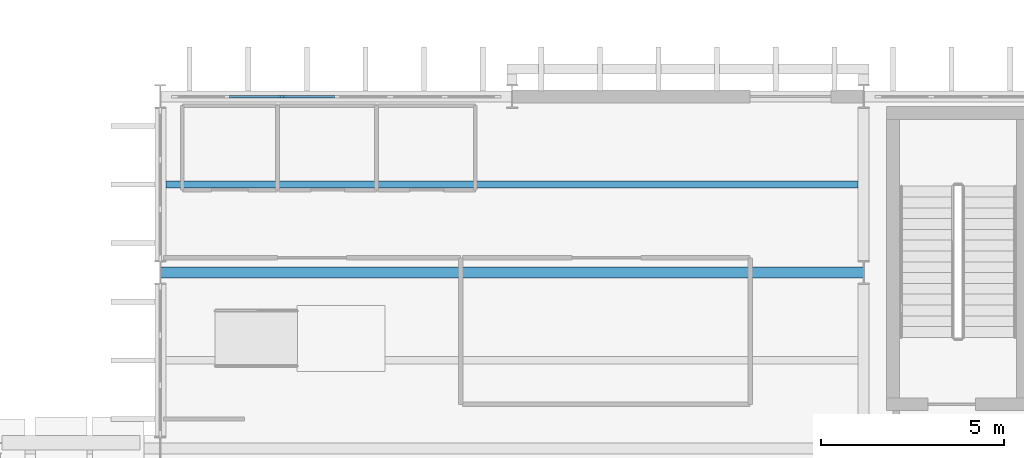
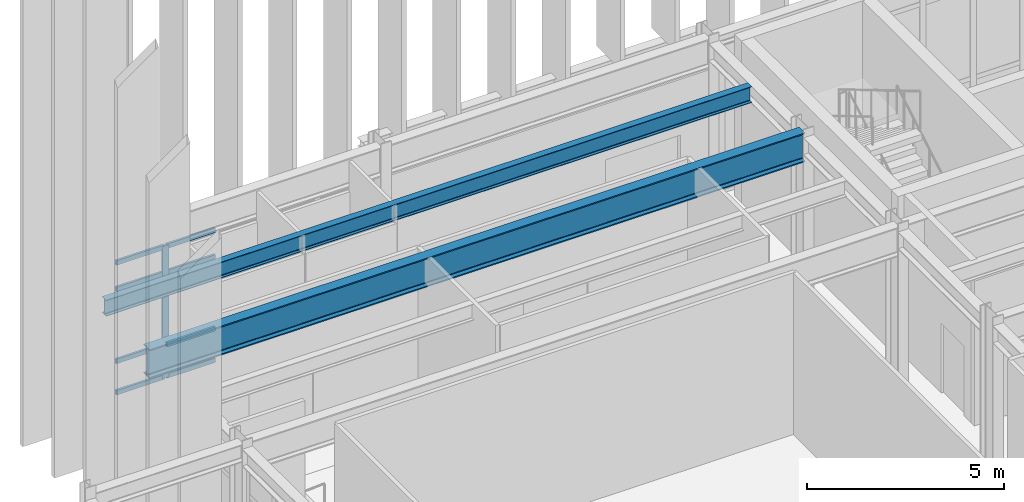
# One storey, part 49 of 109: 9 members, 2 beams, 1 element without a shape of its own.
"""IFC4 building model written with IfcOpenShell, lengths in metres."""

from ifc_helpers import new_model, si_unit, direction, frame, origin, origin_2d, place, context, subcontext, project, spatial, rectangle, i_section, extrude, material, layer, layer_set, material_profile, profile_set, type_object, element, aggregate, save


model = new_model("IFC4")

# Units and contexts
model_context = context("Model", 3, precision=1e-05, world=origin(), true_north=direction((0.0, 1.0)))
body_context = subcontext(model_context, "Body", "Model", "MODEL_VIEW")
ifc_project = project(units=[si_unit("LENGTHUNIT", "METRE"), si_unit("AREAUNIT", "SQUARE_METRE"), si_unit("VOLUMEUNIT", "CUBIC_METRE"), si_unit("PLANEANGLEUNIT", "RADIAN"), si_unit("MASSUNIT", "GRAM", prefix="KILO")], contexts=[model_context])

# Site, building, storey
site_placement = place(None, origin())
site = spatial("IfcSite", under=ifc_project, at=site_placement, CompositionType="ELEMENT")
building_placement = place(site_placement, origin())
building = spatial("IfcBuilding", under=site, at=building_placement, Name="Nordkorset Police Headquarters", CompositionType="ELEMENT")
storey_placement = place(building_placement, origin())
storey = spatial("IfcBuildingStorey", under=building, at=storey_placement, Name="L00", CompositionType="ELEMENT", Elevation=0.0)

# Beam
ifc_material_1 = material(Name="Steel S355J2", Category="steel")
ifc_material_profile_1 = material_profile(ifc_material_1, i_section(OverallWidth=0.199951171875, OverallDepth=0.5, WebThickness=0.01025390625, FlangeThickness=0.01611328125, FilletRadius=0.02099609375, at=origin_2d()), Name="IPE 500")
ifc_profile_set_1 = profile_set([ifc_material_profile_1], Name="Steel S355J2")
beam_type_1 = type_object("IfcBeamType", Name="Beam_IPE_500", PredefinedType="BEAM", material=ifc_profile_set_1)
beam_1_placement = place(storey_placement, frame((0.14990234375, 114.39990234375, 4.75), z_axis=(1.0, 0.0, 0.0), x_axis=(0.0, 1.0, 0.0)))
element("IfcBeam", 1, at=beam_1_placement, inside=storey, type_object=beam_type_1, Name="Composite Floor Beam V1 L00 0-6-1", PredefinedType="BEAM", context=body_context, shape_type="SweptSolid", body=[
    extrude(i_section(OverallWidth=0.199951171875, OverallDepth=0.5, WebThickness=0.01025390625, FlangeThickness=0.01611328125, FilletRadius=0.02099609375, at=origin_2d()), origin(), (0.0, 0.0, 1.0), 18.900146484375),
])

# Curtain wall, members
ifc_material_2 = material(Name="Aluminium alloy AW-6060", Category="aluminium")
ifc_layer = layer(ifc_material_2, 0.179931640625, Name="Aluminium alloy AW-6060")
ifc_layer_set = layer_set([ifc_layer], Name="Aluminium alloy AW-6060")
curtain_wall_type = type_object("IfcCurtainWallType", Name="CW_Unit_888x408", PredefinedType="USERDEFINED", material=ifc_layer_set)
curtain_wall_placement = place(storey_placement, origin())
curtain_wall = element("IfcCurtainWall", 2, at=curtain_wall_placement, inside=storey, type_object=curtain_wall_type, Name="Unitised Curtain Wall L00 V1N-0", ObjectType="UNITISED CURTAIN WALL", PredefinedType="USERDEFINED")
ifc_material_3 = material(Name="Aluminium alloy AW-6060", Category="aluminium")
ifc_material_profile_2 = material_profile(ifc_material_3, rectangle(XDim=0.06494140625, YDim=0.179931640625, at=origin_2d()), Name="ALU MULL 65x180")
ifc_profile_set_2 = profile_set([ifc_material_profile_2], Name="Aluminium alloy AW-6060")
member_type_1 = type_object("IfcMemberType", Name="CW_Mullion_65x180", PredefinedType="MULLION", material=ifc_profile_set_2)
member_1_placement = place(storey_placement, frame((3.320068359375, 116.800048828125, 0.0), z_axis=(0.0, 0.0, 1.0), x_axis=(0.0, 1.0, 0.0)))
member_1 = element("IfcMember", 3, at=member_1_placement, type_object=member_type_1, Name="CW-14 mullion 3", PredefinedType="MULLION", context=body_context, shape_type="SweptSolid", body=[
    extrude(rectangle(XDim=0.06494140625, YDim=0.179931640625, at=origin_2d()), origin(), (0.0, 0.0, 1.0), 4.080078125),
])
ifc_material_4 = material(Name="Aluminium alloy AW-6060", Category="aluminium")
ifc_material_profile_3 = material_profile(ifc_material_4, rectangle(XDim=0.06494140625, YDim=0.139892578125, at=origin_2d()), Name="ALU TRAN 65x140")
ifc_profile_set_3 = profile_set([ifc_material_profile_3], Name="Aluminium alloy AW-6060")
member_type_2 = type_object("IfcMemberType", Name="CW_Transom_65x140", PredefinedType="USERDEFINED", material=ifc_profile_set_3)
member_2_placement = place(storey_placement, frame((1.87255859375, 116.800048828125, 0.032470703125), z_axis=(1.0, 0.0, 0.0), x_axis=(0.0, 1.0, 0.0)))
member_2 = element("IfcMember", 4, at=member_2_placement, type_object=member_type_2, Name="CW-14 transom 2.1", ObjectType="TRANSOM", PredefinedType="USERDEFINED", context=body_context, shape_type="SweptSolid", body=[
    extrude(rectangle(XDim=0.06494140625, YDim=0.139892578125, at=origin_2d()), origin(), (0.0, 0.0, 1.0), 1.4150390625),
])
member_3_placement = place(storey_placement, frame((1.87255859375, 116.800048828125, 1.0), z_axis=(1.0, 0.0, 0.0), x_axis=(0.0, 1.0, 0.0)))
member_3 = element("IfcMember", 5, at=member_3_placement, type_object=member_type_2, Name="CW-14 transom 2.2", ObjectType="TRANSOM", PredefinedType="USERDEFINED", context=body_context, shape_type="SweptSolid", body=[
    extrude(rectangle(XDim=0.06494140625, YDim=0.139892578125, at=origin_2d()), origin(), (0.0, 0.0, 1.0), 1.4150390625),
])
member_4_placement = place(storey_placement, frame((1.87255859375, 116.800048828125, 3.22998046875), z_axis=(1.0, 0.0, 0.0), x_axis=(0.0, 1.0, 0.0)))
member_4 = element("IfcMember", 6, at=member_4_placement, type_object=member_type_2, Name="CW-14 transom 2.3", ObjectType="TRANSOM", PredefinedType="USERDEFINED", context=body_context, shape_type="SweptSolid", body=[
    extrude(rectangle(XDim=0.06494140625, YDim=0.139892578125, at=origin_2d()), origin(), (0.0, 0.0, 1.0), 1.4150390625),
])
member_5_placement = place(storey_placement, frame((1.87255859375, 116.800048828125, 4.047607421875), z_axis=(1.0, 0.0, 0.0), x_axis=(0.0, 1.0, 0.0)))
member_5 = element("IfcMember", 7, at=member_5_placement, type_object=member_type_2, Name="CW-14 transom 2.4", ObjectType="TRANSOM", PredefinedType="USERDEFINED", context=body_context, shape_type="SweptSolid", body=[
    extrude(rectangle(XDim=0.06494140625, YDim=0.139892578125, at=origin_2d()), origin(), (0.0, 0.0, 1.0), 1.4150390625),
])
member_6_placement = place(storey_placement, frame((3.3525390625, 116.800048828125, 0.032470703125), z_axis=(1.0, 0.0, 0.0), x_axis=(0.0, 1.0, 0.0)))
member_6 = element("IfcMember", 8, at=member_6_placement, type_object=member_type_2, Name="CW-14 transom 3.1", ObjectType="TRANSOM", PredefinedType="USERDEFINED", context=body_context, shape_type="SweptSolid", body=[
    extrude(rectangle(XDim=0.06494140625, YDim=0.139892578125, at=origin_2d()), origin(), (0.0, 0.0, 1.0), 1.4150390625),
])
member_7_placement = place(storey_placement, frame((3.3525390625, 116.800048828125, 1.0), z_axis=(1.0, 0.0, 0.0), x_axis=(0.0, 1.0, 0.0)))
member_7 = element("IfcMember", 9, at=member_7_placement, type_object=member_type_2, Name="CW-14 transom 3.2", ObjectType="TRANSOM", PredefinedType="USERDEFINED", context=body_context, shape_type="SweptSolid", body=[
    extrude(rectangle(XDim=0.06494140625, YDim=0.139892578125, at=origin_2d()), origin(), (0.0, 0.0, 1.0), 1.4150390625),
])
member_8_placement = place(storey_placement, frame((3.3525390625, 116.800048828125, 3.22998046875), z_axis=(1.0, 0.0, 0.0), x_axis=(0.0, 1.0, 0.0)))
member_8 = element("IfcMember", 10, at=member_8_placement, type_object=member_type_2, Name="CW-14 transom 3.3", ObjectType="TRANSOM", PredefinedType="USERDEFINED", context=body_context, shape_type="SweptSolid", body=[
    extrude(rectangle(XDim=0.06494140625, YDim=0.139892578125, at=origin_2d()), origin(), (0.0, 0.0, 1.0), 1.4150390625),
])
member_9_placement = place(storey_placement, frame((3.3525390625, 116.800048828125, 4.047607421875), z_axis=(1.0, 0.0, 0.0), x_axis=(0.0, 1.0, 0.0)))
member_9 = element("IfcMember", 11, at=member_9_placement, type_object=member_type_2, Name="CW-14 transom 3.4", ObjectType="TRANSOM", PredefinedType="USERDEFINED", context=body_context, shape_type="SweptSolid", body=[
    extrude(rectangle(XDim=0.06494140625, YDim=0.139892578125, at=origin_2d()), origin(), (0.0, 0.0, 1.0), 1.4150390625),
])
aggregate(curtain_wall, [member_1, member_2, member_3, member_4, member_5, member_6, member_7, member_8, member_9])

# Beam
ifc_material_5 = material(Name="Steel S355J2", Category="steel")
ifc_material_profile_4 = material_profile(ifc_material_5, i_section(OverallWidth=0.300048828125, OverallDepth=0.89990234375, WebThickness=0.0185546875, FlangeThickness=0.034912109375, FilletRadius=0.030029296875, at=origin_2d()), Name="HEB 900")
ifc_profile_set_4 = profile_set([ifc_material_profile_4], Name="Steel S355J2")
beam_type_2 = type_object("IfcBeamType", Name="Girder_HEB_900", PredefinedType="USERDEFINED", material=ifc_profile_set_4)
beam_2_placement = place(storey_placement, frame((0.008056640625, 112.0, 4.550048828125), z_axis=(1.0, 0.0, 0.0), x_axis=(0.0, 1.0, 0.0)))
element("IfcBeam", 12, at=beam_2_placement, inside=storey, type_object=beam_type_2, Name="Girder V1 L00 GX-6-0", ObjectType="GIRDER", PredefinedType="USERDEFINED", context=body_context, shape_type="SweptSolid", body=[
    extrude(i_section(OverallWidth=0.300048828125, OverallDepth=0.89990234375, WebThickness=0.0185546875, FlangeThickness=0.034912109375, FilletRadius=0.030029296875, at=origin_2d()), origin(), (0.0, 0.0, 1.0), 19.183837890625),
])

save(model, "model.ifc")
